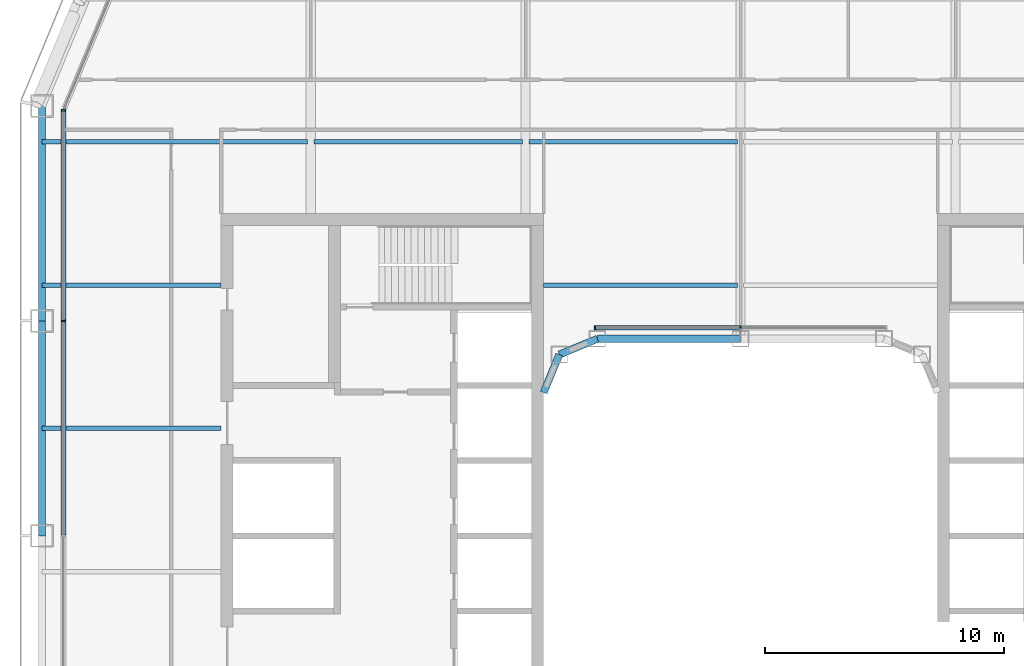
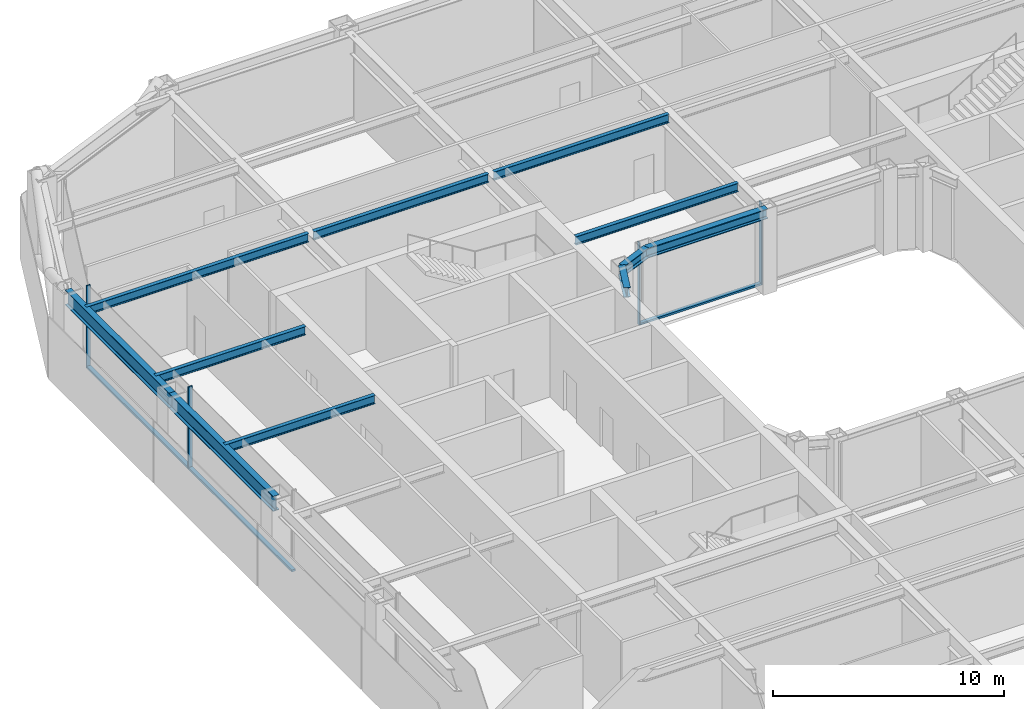
# One storey, part 6 of 23: 11 beams, 7 members, 2 elements without a shape of their own.
"""IFC4 building model written with IfcOpenShell, lengths in metres."""

from ifc_helpers import new_model, si_unit, direction, frame, origin, origin_2d, place, context, subcontext, project, spatial, rectangle, i_section, extrude, material, layer, layer_set, material_profile, profile_set, type_object, element, aggregate, save


model = new_model("IFC4")

# Units and contexts
model_context = context("Model", 3, precision=1e-05, world=origin(), true_north=direction((0.0, 1.0)))
body_context = subcontext(model_context, "Body", "Model", "MODEL_VIEW")
ifc_project = project(units=[si_unit("LENGTHUNIT", "METRE"), si_unit("AREAUNIT", "SQUARE_METRE"), si_unit("VOLUMEUNIT", "CUBIC_METRE"), si_unit("PLANEANGLEUNIT", "RADIAN"), si_unit("MASSUNIT", "GRAM", prefix="KILO")], contexts=[model_context])

# Site, building, storey
site_placement = place(None, origin())
site = spatial("IfcSite", under=ifc_project, at=site_placement, CompositionType="ELEMENT")
building_placement = place(site_placement, origin())
building = spatial("IfcBuilding", under=site, at=building_placement, Name="Siwar Civic Tower", CompositionType="ELEMENT")
storey_placement = place(building_placement, frame((0.0, 0.0, 109.199951171875)))
storey = spatial("IfcBuildingStorey", under=building, at=storey_placement, Name="L23", CompositionType="ELEMENT", Elevation=109.199951171875)

# Curtain wall, members
ifc_material_1 = material(Name="Aluminium and glass", Category="aluminium")
ifc_layer_1 = layer(ifc_material_1, 0.199951171875)
ifc_layer_set_1 = layer_set([ifc_layer_1], Name="Aluminium and glass")
curtain_wall_type_1 = type_object("IfcCurtainWallType", Name="ENV-CW-B", PredefinedType="NOTDEFINED", material=ifc_layer_set_1)
curtain_wall_1_placement = place(storey_placement, origin())
curtain_wall_1 = element("IfcCurtainWall", 1, at=curtain_wall_1_placement, inside=storey, type_object=curtain_wall_type_1, Name="Curtain wall B W", PredefinedType="NOTDEFINED")
ifc_material_2 = material(Name="Aluminium 6063-T6", Category="aluminium")
ifc_material_profile_1 = material_profile(ifc_material_2, rectangle(XDim=0.199951171875, YDim=0.06494140625, at=origin_2d()), Name="AL 200x65")
ifc_profile_set_1 = profile_set([ifc_material_profile_1], Name="Aluminium 6063-T6")
member_type_1 = type_object("IfcMemberType", Name="ENV-MULLION-B", PredefinedType="MULLION", material=ifc_profile_set_1)
member_1_placement = place(storey_placement, frame((-28.35009765625, 17.821044921875, 0.0), z_axis=(0.0, 0.0, 1.0), x_axis=(1.0, 0.0, 0.0)))
member_1 = element("IfcMember", 2, at=member_1_placement, type_object=member_type_1, Name="Mullion B W 1", PredefinedType="MULLION", context=body_context, shape_type="SweptSolid", body=[
    extrude(rectangle(XDim=0.199951171875, YDim=0.06494140625, at=origin_2d()), origin(), (0.0, 0.0, 1.0), 4.35009765625),
])
member_2_placement = place(storey_placement, frame((-28.35009765625, 9.0, 0.0), z_axis=(0.0, 0.0, 1.0), x_axis=(1.0, 0.0, 0.0)))
member_2 = element("IfcMember", 3, at=member_2_placement, type_object=member_type_1, Name="Mullion B W 2", PredefinedType="MULLION", context=body_context, shape_type="SweptSolid", body=[
    extrude(rectangle(XDim=0.199951171875, YDim=0.06494140625, at=origin_2d()), origin(), (0.0, 0.0, 1.0), 4.35009765625),
])

ifc_material_3 = material(Name="Aluminium and glass", Category="aluminium")
ifc_layer_2 = layer(ifc_material_3, 0.179931640625)
ifc_layer_set_2 = layer_set([ifc_layer_2], Name="Aluminium and glass")
curtain_wall_type_2 = type_object("IfcCurtainWallType", Name="ENV-CW-W", PredefinedType="NOTDEFINED", material=ifc_layer_set_2)
curtain_wall_2_placement = place(storey_placement, origin())
curtain_wall_2 = element("IfcCurtainWall", 4, at=curtain_wall_2_placement, inside=storey, type_object=curtain_wall_type_2, Name="Curtain wall W WN", PredefinedType="NOTDEFINED")
ifc_material_4 = material(Name="Aluminium 6063-T6", Category="aluminium")
ifc_material_profile_2 = material_profile(ifc_material_4, rectangle(XDim=0.179931640625, YDim=0.06005859375, at=origin_2d()), Name="AL 180x60")
ifc_profile_set_2 = profile_set([ifc_material_profile_2], Name="Aluminium 6063-T6")
member_type_2 = type_object("IfcMemberType", Name="ENV-MULLION-W", PredefinedType="MULLION", material=ifc_profile_set_2)
member_3_placement = place(storey_placement, frame((0.0, 8.7099609375, 0.0), z_axis=(0.0, 0.0, 1.0), x_axis=(0.0, -1.0, 0.0)))
member_3 = element("IfcMember", 5, at=member_3_placement, type_object=member_type_2, Name="Mullion W WN 2", PredefinedType="MULLION", context=body_context, shape_type="SweptSolid", body=[
    extrude(rectangle(XDim=0.179931640625, YDim=0.06005859375, at=origin_2d()), origin(), (0.0, 0.0, 1.0), 4.35009765625),
])
member_4_placement = place(storey_placement, frame((-6.091552734375, 8.7099609375, 0.0), z_axis=(0.0, 0.0, 1.0), x_axis=(0.0, -1.0, 0.0)))
member_4 = element("IfcMember", 6, at=member_4_placement, type_object=member_type_2, Name="Mullion W WN 3", PredefinedType="MULLION", context=body_context, shape_type="SweptSolid", body=[
    extrude(rectangle(XDim=0.179931640625, YDim=0.06005859375, at=origin_2d()), origin(), (0.0, 0.0, 1.0), 4.35009765625),
])

# Member
ifc_material_5 = material(Name="Aluminium 6063-T6", Category="aluminium")
ifc_material_profile_3 = material_profile(ifc_material_5, rectangle(XDim=0.199951171875, YDim=0.110107421875, at=origin_2d()), Name="AL 200x110")
ifc_profile_set_3 = profile_set([ifc_material_profile_3], Name="Aluminium 6063-T6")
member_type_3 = type_object("IfcMemberType", Name="ENV-TRANSOM-B", PredefinedType="USERDEFINED", material=ifc_profile_set_3)
member_5_placement = place(storey_placement, frame((-28.35009765625, 17.78857421875, 0.054931640625), z_axis=(0.0, -1.0, 0.0), x_axis=(1.0, 0.0, 0.0)))
member_5 = element("IfcMember", 7, at=member_5_placement, type_object=member_type_3, Name="Transom B W 1", ObjectType="TRANSOM", PredefinedType="USERDEFINED", context=body_context, shape_type="SweptSolid", body=[
    extrude(rectangle(XDim=0.199951171875, YDim=0.110107421875, at=origin_2d()), origin(), (0.0, 0.0, 1.0), 8.756103515625),
])

member_6_placement = place(storey_placement, frame((-28.35009765625, 8.967529296875, 0.054931640625), z_axis=(0.0, -1.0, 0.0), x_axis=(1.0, 0.0, 0.0)))
member_6 = element("IfcMember", 8, at=member_6_placement, type_object=member_type_3, Name="Transom B W 2", ObjectType="TRANSOM", PredefinedType="USERDEFINED", context=body_context, shape_type="SweptSolid", body=[
    extrude(rectangle(XDim=0.199951171875, YDim=0.110107421875, at=origin_2d()), origin(), (0.0, 0.0, 1.0), 8.93505859375),
])

aggregate(curtain_wall_1, [member_1, member_2, member_5, member_6])

ifc_material_6 = material(Name="Aluminium 6063-T6", Category="aluminium")
ifc_material_profile_4 = material_profile(ifc_material_6, rectangle(XDim=0.179931640625, YDim=0.10009765625, at=origin_2d()), Name="AL 180x100")
ifc_profile_set_4 = profile_set([ifc_material_profile_4], Name="Aluminium 6063-T6")
member_type_4 = type_object("IfcMemberType", Name="ENV-TRANSOM-W", PredefinedType="USERDEFINED", material=ifc_profile_set_4)
member_7_placement = place(storey_placement, frame((-0.030029296875, 8.7099609375, 0.050048828125), z_axis=(-1.0, 0.0, 0.0), x_axis=(0.0, -1.0, 0.0)))
member_7 = element("IfcMember", 9, at=member_7_placement, type_object=member_type_4, Name="Transom W WN 2", ObjectType="TRANSOM", PredefinedType="USERDEFINED", context=body_context, shape_type="SweptSolid", body=[
    extrude(rectangle(XDim=0.179931640625, YDim=0.10009765625, at=origin_2d()), origin(), (0.0, 0.0, 1.0), 6.031494140625),
])

aggregate(curtain_wall_2, [member_3, member_4, member_7])

# Beams
ifc_material_7 = material(Name="Steel S355", Category="steel")
ifc_material_profile_5 = material_profile(ifc_material_7, i_section(OverallWidth=0.18994140625, OverallDepth=0.449951171875, WebThickness=0.009521484375, FlangeThickness=0.0146484375, FilletRadius=0.02099609375, at=origin_2d()), Name="IPE450")
ifc_profile_set_5 = profile_set([ifc_material_profile_5], Name="Steel S355")
beam_type_1 = type_object("IfcBeamType", Name="STR-FB-IPE450", PredefinedType="JOIST", material=ifc_profile_set_5)
for number, where, z_axis, x_axis, name in (
    (10, (-29.25, 4.5, 4.125), (1.0, 0.0, 0.0), (0.0, 1.0, 0.0), "L23/bm/F025"),
    (11, (-29.25, 10.5, 4.125), (1.0, 0.0, 0.0), (0.0, 1.0, 0.0), "L23/bm/F027"),
):
    element("IfcBeam", number, at=place(storey_placement, frame(where, z_axis=z_axis, x_axis=x_axis)), inside=storey, type_object=beam_type_1, Name=name, PredefinedType="JOIST", context=body_context, shape_type="SweptSolid", body=[
        extrude(i_section(OverallWidth=0.18994140625, OverallDepth=0.449951171875, WebThickness=0.009521484375, FlangeThickness=0.0146484375, FilletRadius=0.02099609375, at=origin_2d()), origin(), (0.0, 0.0, 1.0), 7.5),
    ])
beam_1_placement = place(storey_placement, frame((-8.25, 10.5, 4.125), z_axis=(1.0, 0.0, 0.0), x_axis=(0.0, 1.0, 0.0)))
element("IfcBeam", 12, at=beam_1_placement, inside=storey, type_object=beam_type_1, Name="L23/bm/F028", PredefinedType="JOIST", context=body_context, shape_type="SweptSolid", body=[
    extrude(i_section(OverallWidth=0.18994140625, OverallDepth=0.449951171875, WebThickness=0.009521484375, FlangeThickness=0.0146484375, FilletRadius=0.02099609375, at=origin_2d()), origin(), (0.0, 0.0, 1.0), 8.1201171875),
])
beam_2_placement = place(storey_placement, frame((-29.25, 16.5, 4.125), z_axis=(1.0, 0.0, 0.0), x_axis=(0.0, 1.0, 0.0)))
element("IfcBeam", 13, at=beam_2_placement, inside=storey, type_object=beam_type_1, Name="L23/bm/F031", PredefinedType="JOIST", context=body_context, shape_type="SweptSolid", body=[
    extrude(i_section(OverallWidth=0.18994140625, OverallDepth=0.449951171875, WebThickness=0.009521484375, FlangeThickness=0.0146484375, FilletRadius=0.02099609375, at=origin_2d()), origin(), (0.0, 0.0, 1.0), 11.1201171875),
])
for number, where, z_axis, x_axis, name in (
    (14, (-17.8701171875, 16.5, 4.125), (1.0, 0.0, 0.0), (0.0, 1.0, 0.0), "L23/bm/F032"),
    (15, (-8.8701171875, 16.5, 4.125), (1.0, 0.0, 0.0), (0.0, 1.0, 0.0), "L23/bm/F033"),
):
    element("IfcBeam", number, at=place(storey_placement, frame(where, z_axis=z_axis, x_axis=x_axis)), inside=storey, type_object=beam_type_1, Name=name, PredefinedType="JOIST", context=body_context, shape_type="SweptSolid", body=[
        extrude(i_section(OverallWidth=0.18994140625, OverallDepth=0.449951171875, WebThickness=0.009521484375, FlangeThickness=0.0146484375, FilletRadius=0.02099609375, at=origin_2d()), origin(), (0.0, 0.0, 1.0), 8.740234375),
    ])
ifc_material_8 = material(Name="Steel S355", Category="steel")
ifc_material_profile_6 = material_profile(ifc_material_8, i_section(OverallWidth=0.305908203125, OverallDepth=0.52392578125, WebThickness=0.02099609375, FlangeThickness=0.0400390625, FilletRadius=0.027099609375, at=origin_2d()), Name="HEM500")
ifc_profile_set_6 = profile_set([ifc_material_profile_6], Name="Steel S355")
beam_type_2 = type_object("IfcBeamType", Name="STR-RB-HEM500", PredefinedType="BEAM", material=ifc_profile_set_6)
beam_3_placement = place(storey_placement, frame((-7.591064453125, 7.591064453125, 4.088134765625), z_axis=(0.923901072997, 0.382631424892, 0.0), x_axis=(-0.382631424892, 0.923901072997, 0.0)))
element("IfcBeam", 16, at=beam_3_placement, inside=storey, type_object=beam_type_2, Name="L23/bm/RN0", PredefinedType="BEAM", context=body_context, shape_type="SweptSolid", body=[
    extrude(i_section(OverallWidth=0.305908203125, OverallDepth=0.52392578125, WebThickness=0.02099609375, FlangeThickness=0.0400390625, FilletRadius=0.027099609375, at=origin_2d()), origin(), (0.0, 0.0, 1.0), 1.72216796875),
])
beam_4_placement = place(storey_placement, frame((-6.0, 8.25, 4.088134765625), z_axis=(1.0, 0.0, 0.0), x_axis=(0.0, 1.0, 0.0)))
element("IfcBeam", 17, at=beam_4_placement, inside=storey, type_object=beam_type_2, Name="L23/bm/RN1", PredefinedType="BEAM", context=body_context, shape_type="SweptSolid", body=[
    extrude(i_section(OverallWidth=0.305908203125, OverallDepth=0.52392578125, WebThickness=0.02099609375, FlangeThickness=0.0400390625, FilletRadius=0.027099609375, at=origin_2d()), origin(), (0.0, 0.0, 1.0), 6.0),
])
beam_5_placement = place(storey_placement, frame((-7.591064453125, 7.591064453125, 4.088134765625), z_axis=(-0.382631424892, -0.923901072997, 0.0), x_axis=(0.923901072997, -0.382631424892, 0.0)))
element("IfcBeam", 18, at=beam_5_placement, inside=storey, type_object=beam_type_2, Name="L23/bm/RNEW", PredefinedType="BEAM", context=body_context, shape_type="SweptSolid", body=[
    extrude(i_section(OverallWidth=0.305908203125, OverallDepth=0.52392578125, WebThickness=0.02099609375, FlangeThickness=0.0400390625, FilletRadius=0.027099609375, at=origin_2d()), origin(), (0.0, 0.0, 1.0), 1.72216796875),
])
ifc_material_9 = material(Name="Steel S355", Category="steel")
ifc_material_profile_7 = material_profile(ifc_material_9, i_section(OverallWidth=0.300048828125, OverallDepth=0.800048828125, WebThickness=0.017578125, FlangeThickness=0.032958984375, FilletRadius=0.030029296875, at=origin_2d()), Name="HEB800")
ifc_profile_set_7 = profile_set([ifc_material_profile_7], Name="Steel S355")
beam_type_3 = type_object("IfcBeamType", Name="STR-SB-HEB800", PredefinedType="BEAM", material=ifc_profile_set_7)
for number, where, z_axis, x_axis, name in (
    (19, (-29.25, 18.0, 3.949951171875), (0.0, -1.0, 0.0), (1.0, 0.0, 0.0), "L23/bm/SW-0"),
    (20, (-29.25, 9.0, 3.949951171875), (0.0, -1.0, 0.0), (1.0, 0.0, 0.0), "L23/bm/SW-1"),
):
    element("IfcBeam", number, at=place(storey_placement, frame(where, z_axis=z_axis, x_axis=x_axis)), inside=storey, type_object=beam_type_3, Name=name, PredefinedType="BEAM", context=body_context, shape_type="SweptSolid", body=[
        extrude(i_section(OverallWidth=0.300048828125, OverallDepth=0.800048828125, WebThickness=0.017578125, FlangeThickness=0.032958984375, FilletRadius=0.030029296875, at=origin_2d()), origin(), (0.0, 0.0, 1.0), 9.0),
    ])

save(model, "model.ifc")
